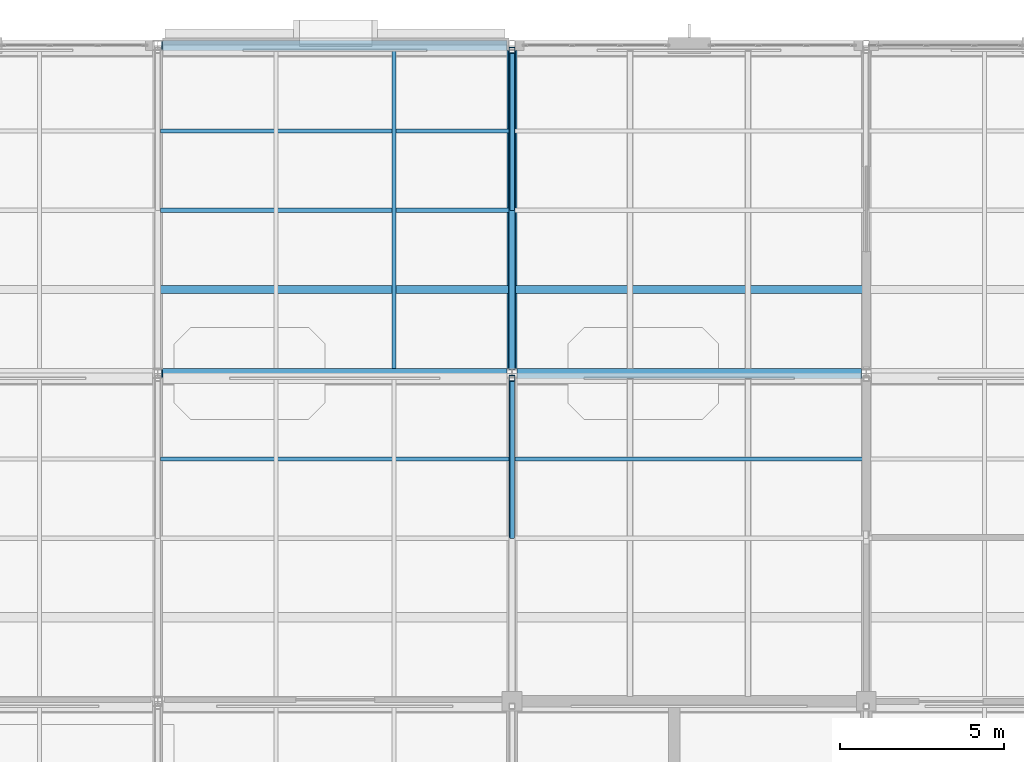
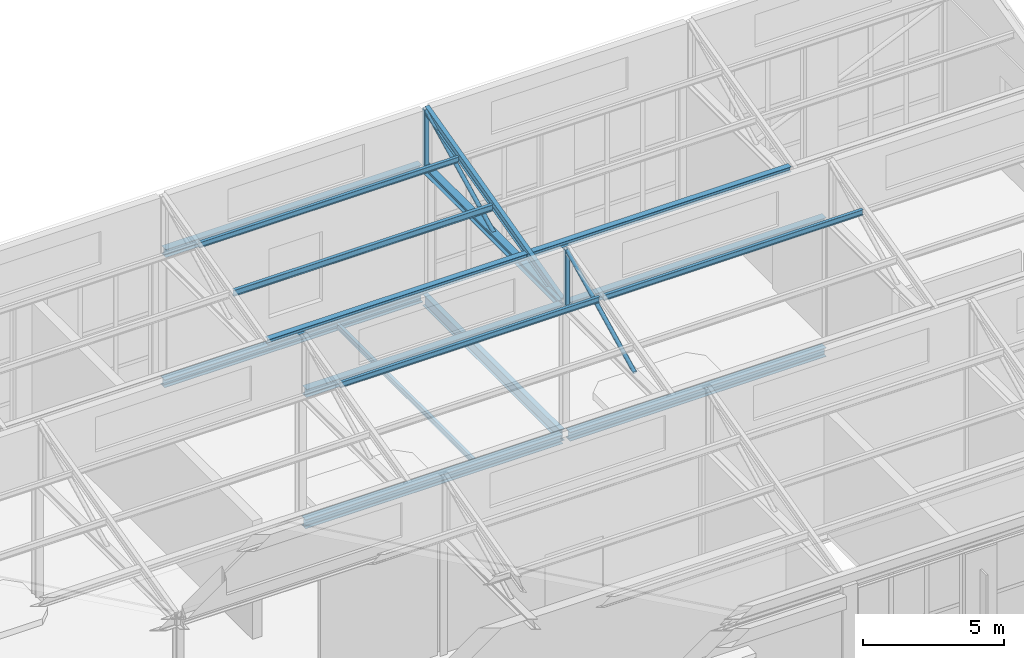
# One storey, part 23 of 49: 12 members, 8 beams.
"""IFC4 building model written with IfcOpenShell, lengths in metres."""

from ifc_helpers import new_model, si_unit, direction, frame, origin, origin_2d, place, context, subcontext, project, spatial, hollow_rectangle, hollow_circle, i_section, extrude, material, material_profile, profile_set, type_object, element, save


model = new_model("IFC4")

# Units and contexts
model_context = context("Model", 3, precision=1e-05, world=origin(), true_north=direction((0.0, 1.0)))
body_context = subcontext(model_context, "Body", "Model", "MODEL_VIEW")
ifc_project = project(units=[si_unit("LENGTHUNIT", "METRE"), si_unit("AREAUNIT", "SQUARE_METRE"), si_unit("VOLUMEUNIT", "CUBIC_METRE"), si_unit("PLANEANGLEUNIT", "RADIAN"), si_unit("MASSUNIT", "GRAM", prefix="KILO")], contexts=[model_context])

# Site, building, storey
site_placement = place(None, origin())
site = spatial("IfcSite", under=ifc_project, at=site_placement, CompositionType="ELEMENT")
building_placement = place(site_placement, origin())
building = spatial("IfcBuilding", under=site, at=building_placement, Name="Tasgan Crest Museum", CompositionType="ELEMENT")
storey_placement = place(building_placement, frame((0.0, 0.0, 28.800048828125)))
storey = spatial("IfcBuildingStorey", under=building, at=storey_placement, Name="L05", CompositionType="ELEMENT", Elevation=28.800048828125)

# Beams
ifc_material_1 = material(Name="Steel S355J2", Category="steel")
ifc_material_profile_1 = material_profile(ifc_material_1, i_section(OverallWidth=0.300048828125, OverallDepth=0.35009765625, WebThickness=0.009521484375, FlangeThickness=0.017578125, FilletRadius=0.027099609375, at=origin_2d()), Name="HEA 360")
ifc_profile_set_1 = profile_set([ifc_material_profile_1], Name="Steel S355J2")
beam_type_1 = type_object("IfcBeamType", Name="BM-G-HEA360", PredefinedType="BEAM", material=ifc_profile_set_1)
for number, where, z_axis, x_axis, name in (
    (1, (43.35009765625, 102.0, 5.219970703125), (1.0, 0.0, 0.0), (0.0, 1.0, 0.0), "Sawtooth valley girder B3 43.2-54.0"),
    (2, (54.14990234375, 102.0, 5.219970703125), (1.0, 0.0, 0.0), (0.0, 1.0, 0.0), "Sawtooth valley girder B3 54.0-64.8"),
    (3, (43.35009765625, 112.0, 5.219970703125), (1.0, 0.0, 0.0), (0.0, 1.0, 0.0), "Sawtooth north eave girder 43.2-54.0"),
):
    element("IfcBeam", number, at=place(storey_placement, frame(where, z_axis=z_axis, x_axis=x_axis)), inside=storey, type_object=beam_type_1, Name=name, PredefinedType="BEAM", context=body_context, shape_type="SweptSolid", body=[
        extrude(i_section(OverallWidth=0.300048828125, OverallDepth=0.35009765625, WebThickness=0.009521484375, FlangeThickness=0.017578125, FilletRadius=0.027099609375, at=origin_2d()), origin(), (0.0, 0.0, 1.0), 10.5),
    ])
ifc_material_2 = material(Name="Steel S355J2", Category="steel")
ifc_material_profile_2 = material_profile(ifc_material_2, i_section(OverallWidth=0.300048828125, OverallDepth=0.389892578125, WebThickness=0.010986328125, FlangeThickness=0.01904296875, FilletRadius=0.027099609375, at=origin_2d()), Name="HEA 400")
ifc_profile_set_2 = profile_set([ifc_material_profile_2], Name="Steel S355J2")
beam_type_2 = type_object("IfcBeamType", Name="BM-G-HEA400", PredefinedType="BEAM", material=ifc_profile_set_2)
beam_1_placement = place(storey_placement, frame((43.305908203125, 102.0, -0.43505859375), z_axis=(1.0, 0.0, 0.0), x_axis=(0.0, 1.0, 0.0)))
element("IfcBeam", 4, at=beam_1_placement, inside=storey, type_object=beam_type_2, Name="Girder L05 L 43.2-54.0", PredefinedType="BEAM", context=body_context, shape_type="SweptSolid", body=[
    extrude(i_section(OverallWidth=0.300048828125, OverallDepth=0.389892578125, WebThickness=0.010986328125, FlangeThickness=0.01904296875, FilletRadius=0.027099609375, at=origin_2d()), origin(), (0.0, 0.0, 1.0), 10.548095703125),
])
beam_2_placement = place(storey_placement, frame((54.14599609375, 102.0, -0.43505859375), z_axis=(1.0, 0.0, 0.0), x_axis=(0.0, 1.0, 0.0)))
element("IfcBeam", 5, at=beam_2_placement, inside=storey, type_object=beam_type_2, Name="Girder L05 L 54.0-64.8", PredefinedType="BEAM", context=body_context, shape_type="SweptSolid", body=[
    extrude(i_section(OverallWidth=0.300048828125, OverallDepth=0.389892578125, WebThickness=0.010986328125, FlangeThickness=0.01904296875, FilletRadius=0.027099609375, at=origin_2d()), origin(), (0.0, 0.0, 1.0), 10.508056640625),
])
ifc_material_3 = material(Name="Steel S355J2", Category="steel")
ifc_material_profile_3 = material_profile(ifc_material_3, i_section(OverallWidth=0.300048828125, OverallDepth=0.340087890625, WebThickness=0.011962890625, FlangeThickness=0.021484375, FilletRadius=0.027099609375, at=origin_2d()), Name="HEB 340")
ifc_profile_set_3 = profile_set([ifc_material_profile_3], Name="Steel S355J2")
beam_type_3 = type_object("IfcBeamType", Name="BM-G-HEB340", PredefinedType="BEAM", material=ifc_profile_set_3)
beam_3_placement = place(storey_placement, frame((43.305908203125, 112.0, -0.41015625), z_axis=(1.0, 0.0, 0.0), x_axis=(0.0, 1.0, 0.0)))
element("IfcBeam", 6, at=beam_3_placement, inside=storey, type_object=beam_type_3, Name="Girder L05 M 43.2-54.0", PredefinedType="BEAM", context=body_context, shape_type="SweptSolid", body=[
    extrude(i_section(OverallWidth=0.300048828125, OverallDepth=0.340087890625, WebThickness=0.011962890625, FlangeThickness=0.021484375, FilletRadius=0.027099609375, at=origin_2d()), origin(), (0.0, 0.0, 1.0), 10.588134765625),
])
ifc_material_4 = material(Name="Steel S355J2", Category="steel")
ifc_material_profile_4 = material_profile(ifc_material_4, i_section(OverallWidth=0.199951171875, OverallDepth=0.5, WebThickness=0.01025390625, FlangeThickness=0.01611328125, FilletRadius=0.02099609375, at=origin_2d()), Name="IPE 500")
ifc_profile_set_4 = profile_set([ifc_material_profile_4], Name="Steel S355J2")
beam_type_4 = type_object("IfcBeamType", Name="BM-G-IPE500", PredefinedType="BEAM", material=ifc_profile_set_4)
beam_4_placement = place(storey_placement, frame((54.0, 102.14990234375, -0.489990234375), z_axis=(0.0, 1.0, 0.0), x_axis=(-1.0, 0.0, 0.0)))
element("IfcBeam", 7, at=beam_4_placement, inside=storey, type_object=beam_type_4, Name="Beam L05 6 102.0-112.0", PredefinedType="BEAM", context=body_context, shape_type="SweptSolid", body=[
    extrude(i_section(OverallWidth=0.199951171875, OverallDepth=0.5, WebThickness=0.01025390625, FlangeThickness=0.01611328125, FilletRadius=0.02099609375, at=origin_2d()), origin(), (0.0, 0.0, 1.0), 9.7451171875),
])
ifc_material_5 = material(Name="Steel S355J2", Category="steel")
ifc_material_profile_5 = material_profile(ifc_material_5, i_section(OverallWidth=0.1201171875, OverallDepth=0.239990234375, WebThickness=0.006103515625, FlangeThickness=0.009765625, FilletRadius=0.014892578125, at=origin_2d()), Name="IPE 240")
ifc_profile_set_5 = profile_set([ifc_material_profile_5], Name="Steel S355J2")
beam_type_5 = type_object("IfcBeamType", Name="BM-J-IPE240", PredefinedType="JOIST", material=ifc_profile_set_5)
beam_5_placement = place(storey_placement, frame((50.39990234375, 102.14501953125, -0.360107421875), z_axis=(0.0, 1.0, 0.0), x_axis=(-1.0, 0.0, 0.0)))
element("IfcBeam", 8, at=beam_5_placement, inside=storey, type_object=beam_type_5, Name="Secondary joist L05 X=50.4 Y=102.0-112.0", PredefinedType="JOIST", context=body_context, shape_type="SweptSolid", body=[
    extrude(i_section(OverallWidth=0.1201171875, OverallDepth=0.239990234375, WebThickness=0.006103515625, FlangeThickness=0.009765625, FilletRadius=0.014892578125, at=origin_2d()), origin(), (0.0, 0.0, 1.0), 9.7099609375),
])

# Members
ifc_material_6 = material(Name="Steel S355J2", Category="steel")
ifc_material_profile_6 = material_profile(ifc_material_6, i_section(OverallWidth=0.239990234375, OverallDepth=0.22998046875, WebThickness=0.007568359375, FlangeThickness=0.011962890625, FilletRadius=0.02099609375, at=origin_2d()), Name="HEA 240")
ifc_profile_set_6 = profile_set([ifc_material_profile_6], Name="Steel S355J2")
member_type_1 = type_object("IfcMemberType", Name="MEM-PUR-HEA240", PredefinedType="PURLIN", material=ifc_profile_set_6)
for number, where, z_axis, x_axis, name in (
    (9, (43.284912109375, 104.5625, 5.889892578125), (1.0, 0.0, 0.0), (0.0, 1.0, 0.0), "Sawtooth roof purlin B3 43.2-54.0 P1"),
    (10, (54.0849609375, 104.5625, 5.889892578125), (1.0, 0.0, 0.0), (0.0, 1.0, 0.0), "Sawtooth roof purlin B3 54.0-64.8 P1"),
):
    element("IfcMember", number, at=place(storey_placement, frame(where, z_axis=z_axis, x_axis=x_axis)), inside=storey, type_object=member_type_1, Name=name, PredefinedType="PURLIN", context=body_context, shape_type="SweptSolid", body=[
        extrude(i_section(OverallWidth=0.239990234375, OverallDepth=0.22998046875, WebThickness=0.007568359375, FlangeThickness=0.011962890625, FilletRadius=0.02099609375, at=origin_2d()), origin(), (0.0, 0.0, 1.0), 10.630126953125),
    ])
ifc_material_7 = material(Name="Steel S355J2", Category="steel")
ifc_material_profile_7 = material_profile(ifc_material_7, i_section(OverallWidth=0.1201171875, OverallDepth=0.239990234375, WebThickness=0.006103515625, FlangeThickness=0.009765625, FilletRadius=0.014892578125, at=origin_2d()), Name="IPE 240")
ifc_profile_set_7 = profile_set([ifc_material_profile_7], Name="Steel S355J2")
member_type_2 = type_object("IfcMemberType", Name="MEM-PURLIN-240", PredefinedType="PURLIN", material=ifc_profile_set_7)
for number, where, z_axis, x_axis, name in (
    (11, (43.284912109375, 99.387451171875, 7.1298828125), (1.0, 0.0, 0.0), (0.0, 1.0, 0.0), "Sawtooth roof purlin B2 43.2-54.0 P3"),
    (12, (54.0849609375, 99.387451171875, 7.1298828125), (1.0, 0.0, 0.0), (0.0, 1.0, 0.0), "Sawtooth roof purlin B2 54.0-64.8 P3"),
    (13, (43.284912109375, 109.387451171875, 7.1298828125), (1.0, 0.0, 0.0), (0.0, 1.0, 0.0), "Sawtooth roof purlin B3 43.2-54.0 P3"),
):
    element("IfcMember", number, at=place(storey_placement, frame(where, z_axis=z_axis, x_axis=x_axis)), inside=storey, type_object=member_type_2, Name=name, PredefinedType="PURLIN", context=body_context, shape_type="SweptSolid", body=[
        extrude(i_section(OverallWidth=0.1201171875, OverallDepth=0.239990234375, WebThickness=0.006103515625, FlangeThickness=0.009765625, FilletRadius=0.014892578125, at=origin_2d()), origin(), (0.0, 0.0, 1.0), 10.630126953125),
    ])
ifc_material_8 = material(Name="Steel S355J2", Category="steel")
ifc_material_profile_8 = material_profile(ifc_material_8, i_section(OverallWidth=0.135009765625, OverallDepth=0.27001953125, WebThickness=0.006591796875, FlangeThickness=0.01025390625, FilletRadius=0.014892578125, at=origin_2d()), Name="IPE 270")
ifc_profile_set_8 = profile_set([ifc_material_profile_8], Name="Steel S355J2")
member_type_3 = type_object("IfcMemberType", Name="MEM-PURLIN-270", PredefinedType="PURLIN", material=ifc_profile_set_8)
member_1_placement = place(storey_placement, frame((43.284912109375, 106.97509765625, 6.510009765625), z_axis=(1.0, 0.0, 0.0), x_axis=(0.0, 1.0, 0.0)))
element("IfcMember", 14, at=member_1_placement, inside=storey, type_object=member_type_3, Name="Sawtooth roof purlin B3 43.2-54.0 P2", PredefinedType="PURLIN", context=body_context, shape_type="SweptSolid", body=[
    extrude(i_section(OverallWidth=0.135009765625, OverallDepth=0.27001953125, WebThickness=0.006591796875, FlangeThickness=0.01025390625, FilletRadius=0.014892578125, at=origin_2d()), origin(), (0.0, 0.0, 1.0), 10.630126953125),
])
ifc_material_9 = material(Name="Steel S355K2", Category="steel")
ifc_material_profile_9 = material_profile(ifc_material_9, i_section(OverallWidth=0.300048828125, OverallDepth=0.31005859375, WebThickness=0.009033203125, FlangeThickness=0.015380859375, FilletRadius=0.027099609375, at=origin_2d()), Name="HEA 320")
ifc_profile_set_9 = profile_set([ifc_material_profile_9], Name="Steel S355K2")
member_type_4 = type_object("IfcMemberType", Name="TR-SAW-CHORD", PredefinedType="CHORD", material=ifc_profile_set_9)
member_2_placement = place(storey_placement, frame((54.0, 102.14990234375, 5.239990234375), z_axis=(0.0, 1.0, 0.0), x_axis=(-1.0, 0.0, 0.0)))
element("IfcMember", 15, at=member_2_placement, inside=storey, type_object=member_type_4, Name="Roof truss bottom chord B3 6", PredefinedType="CHORD", context=body_context, shape_type="SweptSolid", body=[
    extrude(i_section(OverallWidth=0.300048828125, OverallDepth=0.31005859375, WebThickness=0.009033203125, FlangeThickness=0.015380859375, FilletRadius=0.027099609375, at=origin_2d()), origin(), (0.0, 0.0, 1.0), 9.7001953125),
])
ifc_material_10 = material(Name="Steel S355K2", Category="steel")
ifc_material_profile_10 = material_profile(ifc_material_10, hollow_circle(Radius=0.084228515625, WallThickness=0.008056640625, at=origin_2d()), Name="CHS 168.3x8")
ifc_profile_set_10 = profile_set([ifc_material_profile_10], Name="Steel S355K2")
member_type_5 = type_object("IfcMemberType", Name="TR-SAW-DIAG", PredefinedType="BRACE", material=ifc_profile_set_10)
for number, where, z_axis, x_axis, name in (
    (16, (54.0, 97.0, 5.349853515625), (0.0, 0.894418092416, 0.447231792205), (-1.0, 0.0, 0.0), "Roof truss diagonal B2 6"),
    (17, (54.0, 107.0, 5.349853515625), (0.0, 0.894418092416, 0.447231792205), (-1.0, 0.0, 0.0), "Roof truss diagonal B3 6"),
):
    element("IfcMember", number, at=place(storey_placement, frame(where, z_axis=z_axis, x_axis=x_axis)), inside=storey, type_object=member_type_5, Name=name, PredefinedType="BRACE", context=body_context, shape_type="SweptSolid", body=[
        extrude(hollow_circle(Radius=0.084228515625, WallThickness=0.008056640625, at=origin_2d()), origin(), (0.0, 0.0, 1.0), 5.36669921875),
    ])
ifc_material_11 = material(Name="Steel S355K2", Category="steel")
ifc_material_profile_11 = material_profile(ifc_material_11, hollow_rectangle(XDim=0.179931640625, YDim=0.179931640625, WallThickness=0.010009765625, InnerFilletRadius=0.010009765625, OuterFilletRadius=0.02001953125, at=origin_2d()), Name="SHS 180x180x10")
ifc_profile_set_11 = profile_set([ifc_material_profile_11], Name="Steel S355K2")
member_type_6 = type_object("IfcMemberType", Name="TR-SAW-POST", PredefinedType="POST", material=ifc_profile_set_11)
for number, where, z_axis, x_axis, name in (
    (18, (54.0, 101.85009765625, 5.389892578125), (0.0, 0.0, 1.0), (1.0, 0.0, 0.0), "Roof truss north post B2 6"),
    (19, (54.0, 111.85009765625, 5.389892578125), (0.0, 0.0, 1.0), (1.0, 0.0, 0.0), "Roof truss north post B3 6"),
):
    element("IfcMember", number, at=place(storey_placement, frame(where, z_axis=z_axis, x_axis=x_axis)), inside=storey, type_object=member_type_6, Name=name, PredefinedType="POST", context=body_context, shape_type="SweptSolid", body=[
        extrude(hollow_rectangle(XDim=0.179931640625, YDim=0.179931640625, WallThickness=0.010009765625, InnerFilletRadius=0.010009765625, OuterFilletRadius=0.02001953125, at=origin_2d()), origin(), (0.0, 0.0, 1.0), 2.41015625),
    ])
ifc_material_12 = material(Name="Steel S355K2", Category="steel")
ifc_material_profile_12 = material_profile(ifc_material_12, i_section(OverallWidth=0.169921875, OverallDepth=0.360107421875, WebThickness=0.008056640625, FlangeThickness=0.0126953125, FilletRadius=0.01806640625, at=origin_2d()), Name="IPE 360")
ifc_profile_set_12 = profile_set([ifc_material_profile_12], Name="Steel S355K2")
member_type_7 = type_object("IfcMemberType", Name="TR-SAW-RAFTER", PredefinedType="RAFTER", material=ifc_profile_set_12)
member_3_placement = place(storey_placement, frame((54.0, 102.14990234375, 5.320068359375), z_axis=(0.0, 0.968528888954, 0.248901167657), x_axis=(-1.0, 0.0, 0.0)))
element("IfcMember", 20, at=member_3_placement, inside=storey, type_object=member_type_7, Name="Roof truss rafter B3 6", PredefinedType="RAFTER", context=body_context, shape_type="SweptSolid", body=[
    extrude(i_section(OverallWidth=0.169921875, OverallDepth=0.360107421875, WebThickness=0.008056640625, FlangeThickness=0.0126953125, FilletRadius=0.01806640625, at=origin_2d()), origin(), (0.0, 0.0, 1.0), 9.963623046875),
])

save(model, "model.ifc")
